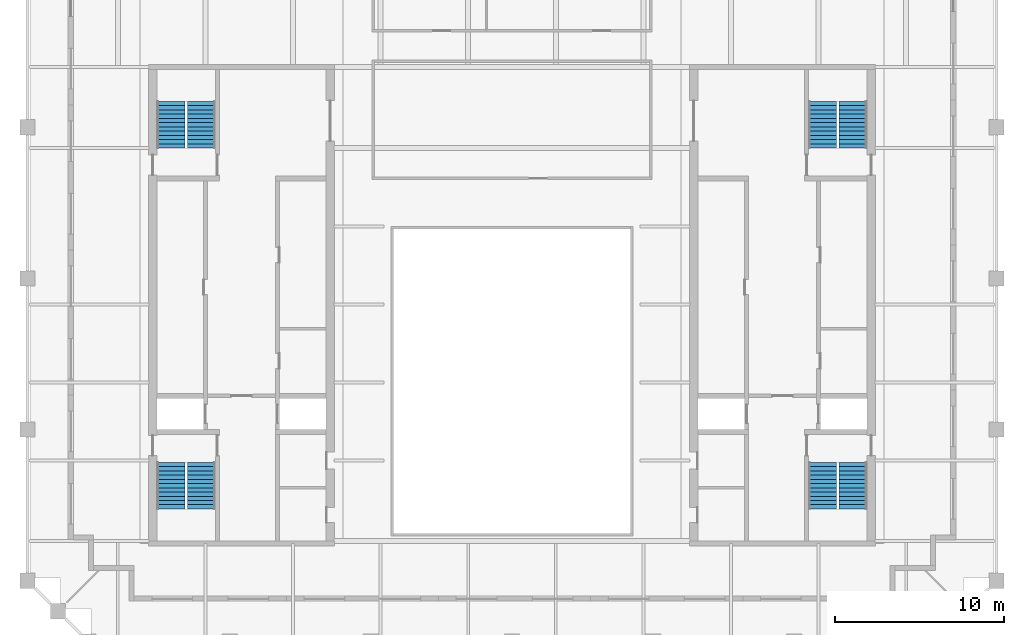
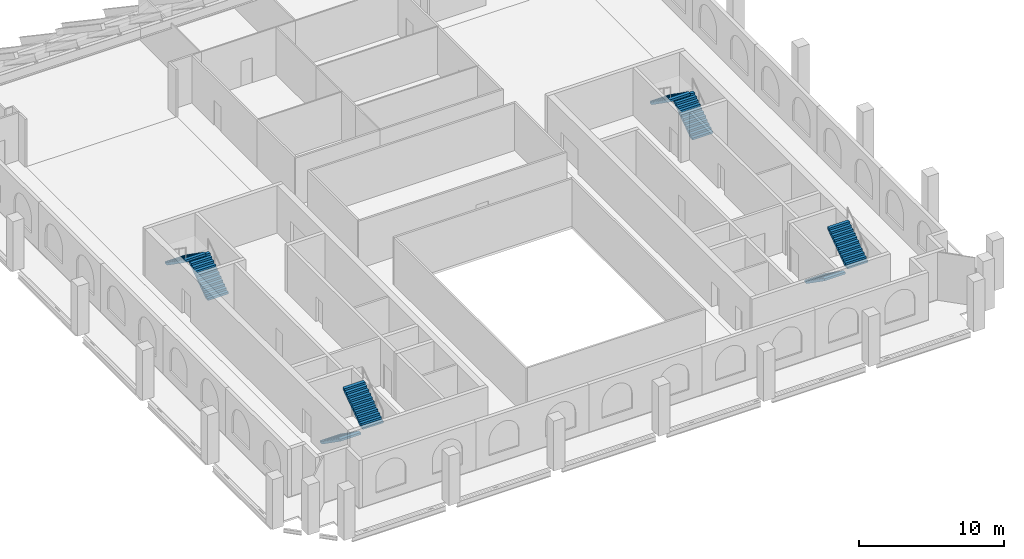
# One storey, part 8 of 9: 8 stair flights, 4 elements without a shape of their own.
"""IFC4 building model written with IfcOpenShell, lengths in metres."""

from ifc_helpers import new_model, si_unit, direction, frame, origin, place, context, subcontext, project, spatial, polyline, outline, extrude, material, type_object, element, aggregate, save


model = new_model("IFC4")

# Units and contexts
model_context = context("Model", 3, precision=1e-05, world=origin(), true_north=direction((0.0, 1.0)))
body_context = subcontext(model_context, "Body", "Model", "MODEL_VIEW")
ifc_project = project(units=[si_unit("LENGTHUNIT", "METRE"), si_unit("AREAUNIT", "SQUARE_METRE"), si_unit("VOLUMEUNIT", "CUBIC_METRE"), si_unit("PLANEANGLEUNIT", "RADIAN"), si_unit("MASSUNIT", "GRAM", prefix="KILO")], contexts=[model_context])

# Site, building, storey
site_placement = place(None, origin())
site = spatial("IfcSite", under=ifc_project, at=site_placement, CompositionType="ELEMENT")
building_placement = place(site_placement, origin())
building = spatial("IfcBuilding", under=site, at=building_placement, Name="Ogive Exchange Tower", CompositionType="ELEMENT")
storey_placement = place(building_placement, frame((0.0, 0.0, 373.199951171875)))
storey = spatial("IfcBuildingStorey", under=building, at=storey_placement, Name="C02", CompositionType="ELEMENT", Elevation=373.199951171875)

# Stair, stair flights
ifc_material = material(Name="Concrete C40/50", Category="concrete")
stair_type = type_object("IfcStairType", Name="Exit stair 1650 wide", PredefinedType="HALF_TURN_STAIR", material=ifc_material)
stair_1_placement = place(storey_placement, origin())
stair_1 = element("IfcStair", 1, at=stair_1_placement, inside=storey, type_object=stair_type, Name="C02 exit stair ST1", PredefinedType="HALF_TURN_STAIR")
stair_flight_type = type_object("IfcStairFlightType", Name="Stair flight 1650 wide", PredefinedType="STRAIGHT", material=ifc_material)
stair_flight_1_placement = place(storey_placement, frame((-20.175048828125, 2.199951171875, 0.0), z_axis=(0.0, 0.0, 1.0), x_axis=(0.0, -1.0, 0.0)))
stair_flight_1 = element("IfcStairFlight", 2, at=stair_flight_1_placement, type_object=stair_flight_type, Name="ST1 flight 1", NumberOfRisers=12, NumberOfTreads=11, PredefinedType="STRAIGHT", RiserHeight=0.175, TreadLength=0.25, context=body_context, shape_type="SweptSolid", body=[
    extrude(outline(polyline([(0.0, 0.0), (0.0, 0.175048828125), (0.25, 0.175048828125), (0.25, 0.35009765625), (0.5, 0.35009765625), (0.5, 0.52490234375), (0.75, 0.52490234375), (0.75, 0.699951171875), (1.0, 0.699951171875), (1.0, 0.875), (1.25, 0.875), (1.25, 1.050048828125), (1.5, 1.050048828125), (1.5, 1.22509765625), (1.75, 1.22509765625), (1.75, 1.39990234375), (2.0, 1.39990234375), (2.0, 1.574951171875), (2.25, 1.574951171875), (2.25, 1.75), (2.5, 1.75), (2.5, 1.925048828125), (2.75, 1.925048828125), (2.75, 2.10009765625), (2.75, 1.741943359375), (0.261474609375, 0.0), (0.0, 0.0)])), frame((0.0, 0.824951171875, 0.0), z_axis=(0.0, -1.0, 0.0), x_axis=(1.0, 0.0, 0.0)), (0.0, 0.0, 1.0), 1.64990234375),
])
stair_flight_2_placement = place(storey_placement, frame((-18.375, -0.550048828125, 2.10009765625), z_axis=(0.0, 0.0, 1.0), x_axis=(0.0, 1.0, 0.0)))
stair_flight_2 = element("IfcStairFlight", 3, at=stair_flight_2_placement, type_object=stair_flight_type, Name="ST1 flight 2", NumberOfRisers=12, NumberOfTreads=11, PredefinedType="STRAIGHT", RiserHeight=0.175, TreadLength=0.25, context=body_context, shape_type="SweptSolid", body=[
    extrude(outline(polyline([(0.0, 0.0), (0.0, 0.175048828125), (0.25, 0.175048828125), (0.25, 0.35009765625), (0.5, 0.35009765625), (0.5, 0.52490234375), (0.75, 0.52490234375), (0.75, 0.699951171875), (1.0, 0.699951171875), (1.0, 0.875), (1.25, 0.875), (1.25, 1.050048828125), (1.5, 1.050048828125), (1.5, 1.22509765625), (1.75, 1.22509765625), (1.75, 1.39990234375), (2.0, 1.39990234375), (2.0, 1.574951171875), (2.25, 1.574951171875), (2.25, 1.75), (2.5, 1.75), (2.5, 1.925048828125), (2.75, 1.925048828125), (2.75, 2.10009765625), (2.75, 1.741943359375), (0.261474609375, 0.0), (0.0, 0.0)])), frame((0.0, 0.824951171875, 0.0), z_axis=(0.0, -1.0, 0.0), x_axis=(1.0, 0.0, 0.0)), (0.0, 0.0, 1.0), 1.64990234375),
])
aggregate(stair_1, [stair_flight_1, stair_flight_2])

stair_2_placement = place(storey_placement, origin())
stair_2 = element("IfcStair", 4, at=stair_2_placement, inside=storey, type_object=stair_type, Name="C02 exit stair ST2", PredefinedType="HALF_TURN_STAIR")
stair_flight_3_placement = place(storey_placement, frame((-18.375, 20.800048828125, 0.0), z_axis=(0.0, 0.0, 1.0), x_axis=(0.0, 1.0, 0.0)))
stair_flight_3 = element("IfcStairFlight", 5, at=stair_flight_3_placement, type_object=stair_flight_type, Name="ST2 flight 1", NumberOfRisers=12, NumberOfTreads=11, PredefinedType="STRAIGHT", RiserHeight=0.175, TreadLength=0.25, context=body_context, shape_type="SweptSolid", body=[
    extrude(outline(polyline([(0.0, 0.0), (0.0, 0.175048828125), (0.25, 0.175048828125), (0.25, 0.35009765625), (0.5, 0.35009765625), (0.5, 0.52490234375), (0.75, 0.52490234375), (0.75, 0.699951171875), (1.0, 0.699951171875), (1.0, 0.875), (1.25, 0.875), (1.25, 1.050048828125), (1.5, 1.050048828125), (1.5, 1.22509765625), (1.75, 1.22509765625), (1.75, 1.39990234375), (2.0, 1.39990234375), (2.0, 1.574951171875), (2.25, 1.574951171875), (2.25, 1.75), (2.5, 1.75), (2.5, 1.925048828125), (2.75, 1.925048828125), (2.75, 2.10009765625), (2.75, 1.741943359375), (0.261474609375, 0.0), (0.0, 0.0)])), frame((0.0, 0.824951171875, 0.0), z_axis=(0.0, -1.0, 0.0), x_axis=(1.0, 0.0, 0.0)), (0.0, 0.0, 1.0), 1.64990234375),
])
stair_flight_4_placement = place(storey_placement, frame((-20.175048828125, 23.550048828125, 2.10009765625), z_axis=(0.0, 0.0, 1.0), x_axis=(0.0, -1.0, 0.0)))
stair_flight_4 = element("IfcStairFlight", 6, at=stair_flight_4_placement, type_object=stair_flight_type, Name="ST2 flight 2", NumberOfRisers=12, NumberOfTreads=11, PredefinedType="STRAIGHT", RiserHeight=0.175, TreadLength=0.25, context=body_context, shape_type="SweptSolid", body=[
    extrude(outline(polyline([(0.0, 0.0), (0.0, 0.175048828125), (0.25, 0.175048828125), (0.25, 0.35009765625), (0.5, 0.35009765625), (0.5, 0.52490234375), (0.75, 0.52490234375), (0.75, 0.699951171875), (1.0, 0.699951171875), (1.0, 0.875), (1.25, 0.875), (1.25, 1.050048828125), (1.5, 1.050048828125), (1.5, 1.22509765625), (1.75, 1.22509765625), (1.75, 1.39990234375), (2.0, 1.39990234375), (2.0, 1.574951171875), (2.25, 1.574951171875), (2.25, 1.75), (2.5, 1.75), (2.5, 1.925048828125), (2.75, 1.925048828125), (2.75, 2.10009765625), (2.75, 1.741943359375), (0.261474609375, 0.0), (0.0, 0.0)])), frame((0.0, 0.824951171875, 0.0), z_axis=(0.0, -1.0, 0.0), x_axis=(1.0, 0.0, 0.0)), (0.0, 0.0, 1.0), 1.64990234375),
])
aggregate(stair_2, [stair_flight_3, stair_flight_4])

stair_3_placement = place(storey_placement, origin())
stair_3 = element("IfcStair", 7, at=stair_3_placement, inside=storey, type_object=stair_type, Name="C02 exit stair ST3", PredefinedType="HALF_TURN_STAIR")
stair_flight_5_placement = place(storey_placement, frame((18.375, 2.199951171875, 0.0), z_axis=(0.0, 0.0, 1.0), x_axis=(0.0, -1.0, 0.0)))
stair_flight_5 = element("IfcStairFlight", 8, at=stair_flight_5_placement, type_object=stair_flight_type, Name="ST3 flight 1", NumberOfRisers=12, NumberOfTreads=11, PredefinedType="STRAIGHT", RiserHeight=0.175, TreadLength=0.25, context=body_context, shape_type="SweptSolid", body=[
    extrude(outline(polyline([(0.0, 0.0), (0.0, 0.175048828125), (0.25, 0.175048828125), (0.25, 0.35009765625), (0.5, 0.35009765625), (0.5, 0.52490234375), (0.75, 0.52490234375), (0.75, 0.699951171875), (1.0, 0.699951171875), (1.0, 0.875), (1.25, 0.875), (1.25, 1.050048828125), (1.5, 1.050048828125), (1.5, 1.22509765625), (1.75, 1.22509765625), (1.75, 1.39990234375), (2.0, 1.39990234375), (2.0, 1.574951171875), (2.25, 1.574951171875), (2.25, 1.75), (2.5, 1.75), (2.5, 1.925048828125), (2.75, 1.925048828125), (2.75, 2.10009765625), (2.75, 1.741943359375), (0.261474609375, 0.0), (0.0, 0.0)])), frame((0.0, 0.824951171875, 0.0), z_axis=(0.0, -1.0, 0.0), x_axis=(1.0, 0.0, 0.0)), (0.0, 0.0, 1.0), 1.64990234375),
])
stair_flight_6_placement = place(storey_placement, frame((20.175048828125, -0.550048828125, 2.10009765625), z_axis=(0.0, 0.0, 1.0), x_axis=(0.0, 1.0, 0.0)))
stair_flight_6 = element("IfcStairFlight", 9, at=stair_flight_6_placement, type_object=stair_flight_type, Name="ST3 flight 2", NumberOfRisers=12, NumberOfTreads=11, PredefinedType="STRAIGHT", RiserHeight=0.175, TreadLength=0.25, context=body_context, shape_type="SweptSolid", body=[
    extrude(outline(polyline([(0.0, 0.0), (0.0, 0.175048828125), (0.25, 0.175048828125), (0.25, 0.35009765625), (0.5, 0.35009765625), (0.5, 0.52490234375), (0.75, 0.52490234375), (0.75, 0.699951171875), (1.0, 0.699951171875), (1.0, 0.875), (1.25, 0.875), (1.25, 1.050048828125), (1.5, 1.050048828125), (1.5, 1.22509765625), (1.75, 1.22509765625), (1.75, 1.39990234375), (2.0, 1.39990234375), (2.0, 1.574951171875), (2.25, 1.574951171875), (2.25, 1.75), (2.5, 1.75), (2.5, 1.925048828125), (2.75, 1.925048828125), (2.75, 2.10009765625), (2.75, 1.741943359375), (0.261474609375, 0.0), (0.0, 0.0)])), frame((0.0, 0.824951171875, 0.0), z_axis=(0.0, -1.0, 0.0), x_axis=(1.0, 0.0, 0.0)), (0.0, 0.0, 1.0), 1.64990234375),
])
aggregate(stair_3, [stair_flight_5, stair_flight_6])

stair_4_placement = place(storey_placement, origin())
stair_4 = element("IfcStair", 10, at=stair_4_placement, inside=storey, type_object=stair_type, Name="C02 exit stair ST4", PredefinedType="HALF_TURN_STAIR")
stair_flight_7_placement = place(storey_placement, frame((20.175048828125, 20.800048828125, 0.0), z_axis=(0.0, 0.0, 1.0), x_axis=(0.0, 1.0, 0.0)))
stair_flight_7 = element("IfcStairFlight", 11, at=stair_flight_7_placement, type_object=stair_flight_type, Name="ST4 flight 1", NumberOfRisers=12, NumberOfTreads=11, PredefinedType="STRAIGHT", RiserHeight=0.175, TreadLength=0.25, context=body_context, shape_type="SweptSolid", body=[
    extrude(outline(polyline([(0.0, 0.0), (0.0, 0.175048828125), (0.25, 0.175048828125), (0.25, 0.35009765625), (0.5, 0.35009765625), (0.5, 0.52490234375), (0.75, 0.52490234375), (0.75, 0.699951171875), (1.0, 0.699951171875), (1.0, 0.875), (1.25, 0.875), (1.25, 1.050048828125), (1.5, 1.050048828125), (1.5, 1.22509765625), (1.75, 1.22509765625), (1.75, 1.39990234375), (2.0, 1.39990234375), (2.0, 1.574951171875), (2.25, 1.574951171875), (2.25, 1.75), (2.5, 1.75), (2.5, 1.925048828125), (2.75, 1.925048828125), (2.75, 2.10009765625), (2.75, 1.741943359375), (0.261474609375, 0.0), (0.0, 0.0)])), frame((0.0, 0.824951171875, 0.0), z_axis=(0.0, -1.0, 0.0), x_axis=(1.0, 0.0, 0.0)), (0.0, 0.0, 1.0), 1.64990234375),
])
stair_flight_8_placement = place(storey_placement, frame((18.375, 23.550048828125, 2.10009765625), z_axis=(0.0, 0.0, 1.0), x_axis=(0.0, -1.0, 0.0)))
stair_flight_8 = element("IfcStairFlight", 12, at=stair_flight_8_placement, type_object=stair_flight_type, Name="ST4 flight 2", NumberOfRisers=12, NumberOfTreads=11, PredefinedType="STRAIGHT", RiserHeight=0.175, TreadLength=0.25, context=body_context, shape_type="SweptSolid", body=[
    extrude(outline(polyline([(0.0, 0.0), (0.0, 0.175048828125), (0.25, 0.175048828125), (0.25, 0.35009765625), (0.5, 0.35009765625), (0.5, 0.52490234375), (0.75, 0.52490234375), (0.75, 0.699951171875), (1.0, 0.699951171875), (1.0, 0.875), (1.25, 0.875), (1.25, 1.050048828125), (1.5, 1.050048828125), (1.5, 1.22509765625), (1.75, 1.22509765625), (1.75, 1.39990234375), (2.0, 1.39990234375), (2.0, 1.574951171875), (2.25, 1.574951171875), (2.25, 1.75), (2.5, 1.75), (2.5, 1.925048828125), (2.75, 1.925048828125), (2.75, 2.10009765625), (2.75, 1.741943359375), (0.261474609375, 0.0), (0.0, 0.0)])), frame((0.0, 0.824951171875, 0.0), z_axis=(0.0, -1.0, 0.0), x_axis=(1.0, 0.0, 0.0)), (0.0, 0.0, 1.0), 1.64990234375),
])
aggregate(stair_4, [stair_flight_7, stair_flight_8])

save(model, "model.ifc")
